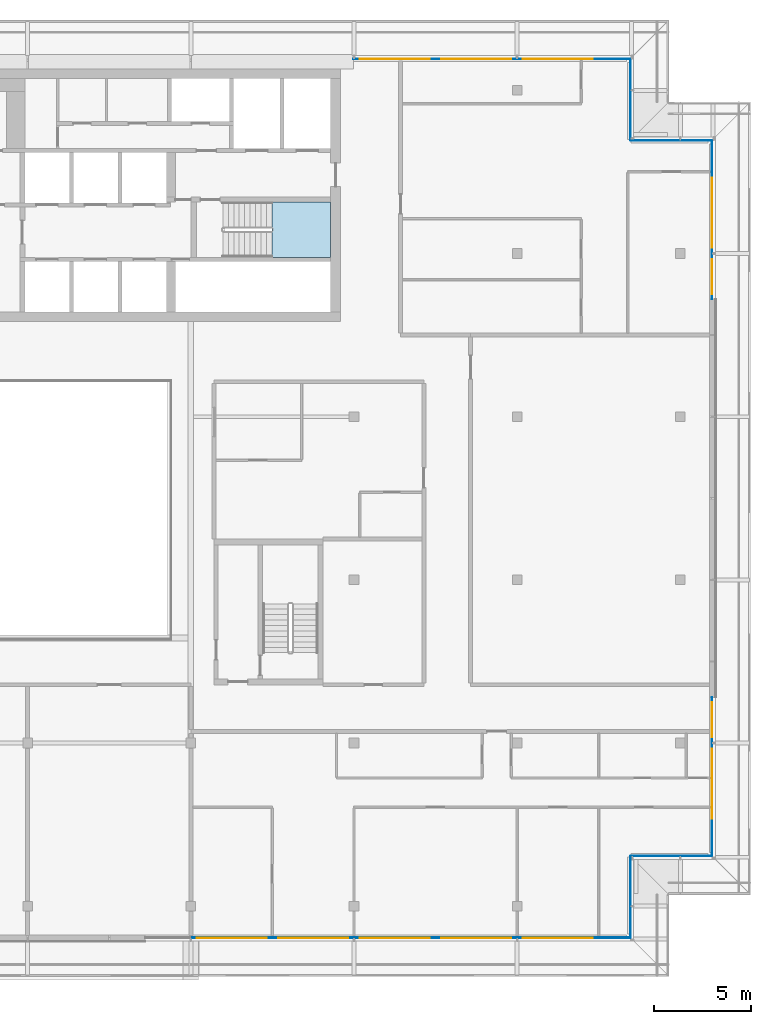
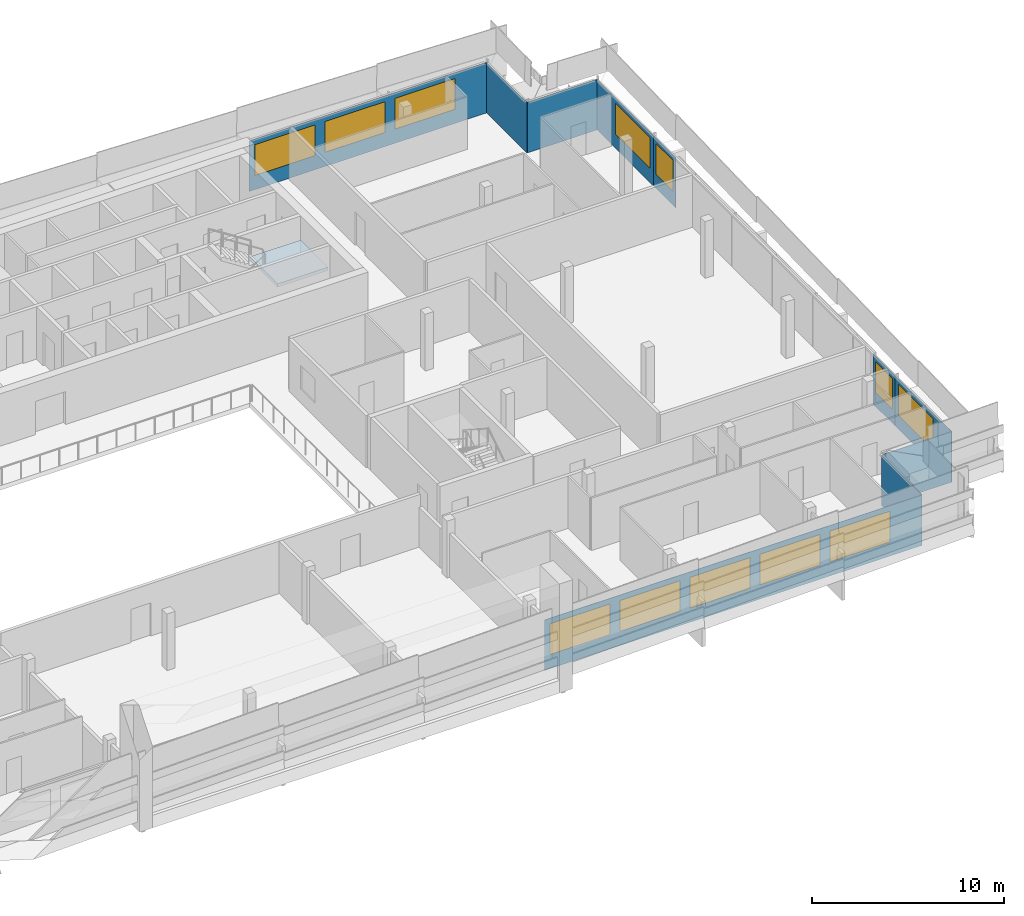
# One storey, part 16 of 33: 12 windows, 10 plates, 1 slab, 12 openings, 8 elements without a shape of their own.
"""IFC4 building model written with IfcOpenShell, lengths in metres."""

from ifc_helpers import new_model, si_unit, direction, frame, frame_2d, origin, place, context, subcontext, project, spatial, polyline, rectangle, outline, extrude, material, layer, layer_set, type_object, element, fill, aggregate, save


model = new_model("IFC4")

# Units and contexts
model_context = context("Model", 3, precision=1e-05, world=origin(), true_north=direction((0.0, 1.0)))
body_context = subcontext(model_context, "Body", "Model", "MODEL_VIEW")
ifc_project = project(units=[si_unit("LENGTHUNIT", "METRE"), si_unit("AREAUNIT", "SQUARE_METRE"), si_unit("VOLUMEUNIT", "CUBIC_METRE"), si_unit("PLANEANGLEUNIT", "RADIAN"), si_unit("MASSUNIT", "GRAM", prefix="KILO")], contexts=[model_context])

# Site, building, storey
site_placement = place(None, origin())
site = spatial("IfcSite", under=ifc_project, at=site_placement, CompositionType="ELEMENT")
building_placement = place(site_placement, origin())
building = spatial("IfcBuilding", under=site, at=building_placement, Name="Saffron Gate Tower", CompositionType="ELEMENT")
storey_placement = place(building_placement, frame((0.0, 0.0, 263.550048828125)))
storey = spatial("IfcBuildingStorey", under=building, at=storey_placement, Name="L63", CompositionType="ELEMENT", Elevation=263.550048828125)

# Curtain wall, plate, openings, windows
ifc_material_1 = material(Name="Aluminium, bronze anodised", Category="aluminium")
curtain_wall_type_1 = type_object("IfcCurtainWallType", Name="CWS1 curtain wall front facade", PredefinedType="NOTDEFINED", material=ifc_material_1)
curtain_wall_1_placement = place(storey_placement, origin())
curtain_wall_1 = element("IfcCurtainWall", 1, at=curtain_wall_1_placement, inside=storey, type_object=curtain_wall_type_1, Name="CWS1 run 1", PredefinedType="NOTDEFINED")
ifc_material_2 = material(Name="Fritted bronze-tinted laminated glass", Category="glass")
ifc_layer_1 = layer(ifc_material_2, 0.028076171875)
ifc_layer_set_1 = layer_set([ifc_layer_1], Name="CWS1 fixed glass")
plate_type_1 = type_object("IfcPlateType", Name="CWS1 fixed glass", PredefinedType="CURTAIN_PANEL", material=ifc_layer_set_1)
plate_1_placement = place(storey_placement, frame((100.169921875, 30.174072265625, 0.0), z_axis=(0.0, 0.0, 1.0), x_axis=(1.0, 0.0, 0.0)))
plate_1 = element("IfcPlate", 2, at=plate_1_placement, type_object=plate_type_1, Name="CWS1 glass panel", PredefinedType="CURTAIN_PANEL", context=body_context, shape_type="SweptSolid", body=[
    extrude(rectangle(XDim=22.64208984375, YDim=0.028076171875, at=frame_2d((11.321044921875, 0.0))), origin(), (0.0, 0.0, 1.0), 3.199951171875),
])
opening_1_placement = place(plate_1_placement, frame((0.330078125, 0.0, 0.89990234375)))
opening_1 = element("IfcOpeningElement", 3, at=opening_1_placement, cuts=plate_1, Name="Opening W1", PredefinedType="OPENING", context=body_context, shape_type="SweptSolid", body=[
    extrude(rectangle(XDim=3.60009765625, YDim=1.949951171875, at=frame_2d((1.800048828125, 0.97509765625))), frame((0.0, 0.02392578125, 0.0), z_axis=(0.0, -1.0, 0.0), x_axis=(1.0, 0.0, 0.0)), (0.0, 0.0, 1.0), 0.048095703125),
])
opening_2_placement = place(plate_1_placement, frame((4.530029296875, 0.0, 0.89990234375)))
opening_2 = element("IfcOpeningElement", 4, at=opening_2_placement, cuts=plate_1, Name="Opening W1", PredefinedType="OPENING", context=body_context, shape_type="SweptSolid", body=[
    extrude(rectangle(XDim=3.60009765625, YDim=1.949951171875, at=frame_2d((1.800048828125, 0.97509765625))), frame((0.0, 0.02392578125, 0.0), z_axis=(0.0, -1.0, 0.0), x_axis=(1.0, 0.0, 0.0)), (0.0, 0.0, 1.0), 0.048095703125),
])
opening_3_placement = place(plate_1_placement, frame((8.72998046875, 0.0, 0.89990234375)))
opening_3 = element("IfcOpeningElement", 5, at=opening_3_placement, cuts=plate_1, Name="Opening W1", PredefinedType="OPENING", context=body_context, shape_type="SweptSolid", body=[
    extrude(rectangle(XDim=3.60009765625, YDim=1.949951171875, at=frame_2d((1.800048828125, 0.97509765625))), frame((0.0, 0.02392578125, 0.0), z_axis=(0.0, -1.0, 0.0), x_axis=(1.0, 0.0, 0.0)), (0.0, 0.0, 1.0), 0.048095703125),
])
opening_4_placement = place(plate_1_placement, frame((12.929931640625, 0.0, 0.89990234375)))
opening_4 = element("IfcOpeningElement", 6, at=opening_4_placement, cuts=plate_1, Name="Opening W1", PredefinedType="OPENING", context=body_context, shape_type="SweptSolid", body=[
    extrude(rectangle(XDim=3.60009765625, YDim=1.949951171875, at=frame_2d((1.800048828125, 0.97509765625))), frame((0.0, 0.02392578125, 0.0), z_axis=(0.0, -1.0, 0.0), x_axis=(1.0, 0.0, 0.0)), (0.0, 0.0, 1.0), 0.048095703125),
])
opening_5_placement = place(plate_1_placement, frame((17.1298828125, 0.0, 0.89990234375)))
opening_5 = element("IfcOpeningElement", 7, at=opening_5_placement, cuts=plate_1, Name="Opening W1", PredefinedType="OPENING", context=body_context, shape_type="SweptSolid", body=[
    extrude(rectangle(XDim=3.60009765625, YDim=1.949951171875, at=frame_2d((1.800048828125, 0.97509765625))), frame((0.0, 0.02392578125, 0.0), z_axis=(0.0, -1.0, 0.0), x_axis=(1.0, 0.0, 0.0)), (0.0, 0.0, 1.0), 0.048095703125),
])
ifc_material_3 = material(Name="Fritted bronze-tinted laminated glass in bronze frame", Category="glass")
ifc_layer_2 = layer(ifc_material_3, 0.06005859375)
ifc_layer_set_2 = layer_set([ifc_layer_2], Name="W1 operable panel 3600x1950")
window_type_1 = type_object("IfcWindowType", Name="W1 operable panel 3600x1950", PartitioningType="DOUBLE_PANEL_HORIZONTAL", PredefinedType="WINDOW", material=ifc_layer_set_2)
window_1_placement = place(opening_1_placement, origin())
window_1 = element("IfcWindow", 8, at=window_1_placement, type_object=window_type_1, Name="W1 operable panel", OverallHeight=1.949951171875, OverallWidth=3.60009765625, PartitioningType="SINGLE_PANEL", PredefinedType="WINDOW", context=body_context, shape_type="SweptSolid", body=[
    extrude(rectangle(XDim=3.60009765625, YDim=1.949951171875, at=frame_2d((1.800048828125, 0.97509765625))), frame((0.0, 0.013671875, 0.0), z_axis=(0.0, -1.0, 0.0), x_axis=(1.0, 0.0, 0.0)), (0.0, 0.0, 1.0), 0.027587890625),
])
fill(opening_1, window_1)
window_2_placement = place(opening_2_placement, origin())
window_2 = element("IfcWindow", 9, at=window_2_placement, type_object=window_type_1, Name="W1 operable panel", OverallHeight=1.949951171875, OverallWidth=3.60009765625, PartitioningType="SINGLE_PANEL", PredefinedType="WINDOW", context=body_context, shape_type="SweptSolid", body=[
    extrude(rectangle(XDim=3.60009765625, YDim=1.949951171875, at=frame_2d((1.800048828125, 0.97509765625))), frame((0.0, 0.013671875, 0.0), z_axis=(0.0, -1.0, 0.0), x_axis=(1.0, 0.0, 0.0)), (0.0, 0.0, 1.0), 0.027587890625),
])
fill(opening_2, window_2)
window_3_placement = place(opening_3_placement, origin())
window_3 = element("IfcWindow", 10, at=window_3_placement, type_object=window_type_1, Name="W1 operable panel", OverallHeight=1.949951171875, OverallWidth=3.60009765625, PartitioningType="SINGLE_PANEL", PredefinedType="WINDOW", context=body_context, shape_type="SweptSolid", body=[
    extrude(rectangle(XDim=3.60009765625, YDim=1.949951171875, at=frame_2d((1.800048828125, 0.97509765625))), frame((0.0, 0.013671875, 0.0), z_axis=(0.0, -1.0, 0.0), x_axis=(1.0, 0.0, 0.0)), (0.0, 0.0, 1.0), 0.027587890625),
])
fill(opening_3, window_3)
window_4_placement = place(opening_4_placement, origin())
window_4 = element("IfcWindow", 11, at=window_4_placement, type_object=window_type_1, Name="W1 operable panel", OverallHeight=1.949951171875, OverallWidth=3.60009765625, PartitioningType="SINGLE_PANEL", PredefinedType="WINDOW", context=body_context, shape_type="SweptSolid", body=[
    extrude(rectangle(XDim=3.60009765625, YDim=1.949951171875, at=frame_2d((1.800048828125, 0.97509765625))), frame((0.0, 0.013671875, 0.0), z_axis=(0.0, -1.0, 0.0), x_axis=(1.0, 0.0, 0.0)), (0.0, 0.0, 1.0), 0.027587890625),
])
fill(opening_4, window_4)
window_5_placement = place(opening_5_placement, origin())
window_5 = element("IfcWindow", 12, at=window_5_placement, type_object=window_type_1, Name="W1 operable panel", OverallHeight=1.949951171875, OverallWidth=3.60009765625, PartitioningType="SINGLE_PANEL", PredefinedType="WINDOW", context=body_context, shape_type="SweptSolid", body=[
    extrude(rectangle(XDim=3.60009765625, YDim=1.949951171875, at=frame_2d((1.800048828125, 0.97509765625))), frame((0.0, 0.013671875, 0.0), z_axis=(0.0, -1.0, 0.0), x_axis=(1.0, 0.0, 0.0)), (0.0, 0.0, 1.0), 0.027587890625),
])
fill(opening_5, window_5)
aggregate(curtain_wall_1, [plate_1, window_1, window_2, window_3, window_4, window_5])

# Curtain wall, plates, openings, windows
curtain_wall_type_2 = type_object("IfcCurtainWallType", Name="CWS2 curtain wall side facades", PredefinedType="NOTDEFINED", material=ifc_material_1)
curtain_wall_2_placement = place(storey_placement, origin())
curtain_wall_2 = element("IfcCurtainWall", 13, at=curtain_wall_2_placement, inside=storey, type_object=curtain_wall_type_2, Name="CWS2 run 4", PredefinedType="NOTDEFINED")
ifc_layer_3 = layer(ifc_material_2, 0.028076171875)
ifc_layer_set_3 = layer_set([ifc_layer_3], Name="CWS2 fixed glass")
plate_type_2 = type_object("IfcPlateType", Name="CWS2 fixed glass", PredefinedType="CURTAIN_PANEL", material=ifc_layer_set_3)
plate_2_placement = place(storey_placement, frame((127.02587890625, 34.387939453125, 0.0), z_axis=(0.0, 0.0, 1.0), x_axis=(0.0, 1.0, 0.0)))
plate_2 = element("IfcPlate", 14, at=plate_2_placement, type_object=plate_type_2, Name="CWS2 glass panel", PredefinedType="CURTAIN_PANEL", context=body_context, shape_type="SweptSolid", body=[
    extrude(rectangle(XDim=5.842041015625, YDim=0.028076171875, at=frame_2d((2.9208984375, 0.0))), origin(), (0.0, 0.0, 1.0), 3.199951171875),
])
opening_6_placement = place(plate_2_placement, frame((1.912109375, 0.0, 0.89990234375)))
opening_6 = element("IfcOpeningElement", 15, at=opening_6_placement, cuts=plate_2, Name="Opening W1", PredefinedType="OPENING", context=body_context, shape_type="SweptSolid", body=[
    extrude(rectangle(XDim=3.60009765625, YDim=1.949951171875, at=frame_2d((1.800048828125, 0.97509765625))), frame((0.0, 0.02392578125, 0.0), z_axis=(0.0, -1.0, 0.0), x_axis=(1.0, 0.0, 0.0)), (0.0, 0.0, 1.0), 0.048095703125),
])
window_6_placement = place(opening_6_placement, origin())
window_6 = element("IfcWindow", 16, at=window_6_placement, type_object=window_type_1, Name="W1 operable panel", OverallHeight=1.949951171875, OverallWidth=3.60009765625, PartitioningType="SINGLE_PANEL", PredefinedType="WINDOW", context=body_context, shape_type="SweptSolid", body=[
    extrude(rectangle(XDim=3.60009765625, YDim=1.949951171875, at=frame_2d((1.800048828125, 0.97509765625))), frame((0.0, 0.013671875, 0.0), z_axis=(0.0, -1.0, 0.0), x_axis=(1.0, 0.0, 0.0)), (0.0, 0.0, 1.0), 0.027587890625),
])
fill(opening_6, window_6)
plate_3_placement = place(storey_placement, frame((127.02587890625, 65.3701171875, 0.0), z_axis=(0.0, 0.0, 1.0), x_axis=(0.0, 1.0, 0.0)))
plate_3 = element("IfcPlate", 17, at=plate_3_placement, type_object=plate_type_2, Name="CWS2 glass panel", PredefinedType="CURTAIN_PANEL", context=body_context, shape_type="SweptSolid", body=[
    extrude(rectangle(XDim=5.841796875, YDim=0.028076171875, at=frame_2d((2.9208984375, 0.0))), origin(), (0.0, 0.0, 1.0), 3.199951171875),
])
opening_7_placement = place(plate_3_placement, frame((0.330078125, 0.0, 0.89990234375)))
opening_7 = element("IfcOpeningElement", 18, at=opening_7_placement, cuts=plate_3, Name="Opening W1", PredefinedType="OPENING", context=body_context, shape_type="SweptSolid", body=[
    extrude(rectangle(XDim=3.60009765625, YDim=1.949951171875, at=frame_2d((1.800048828125, 0.97509765625))), frame((0.0, 0.02392578125, 0.0), z_axis=(0.0, -1.0, 0.0), x_axis=(1.0, 0.0, 0.0)), (0.0, 0.0, 1.0), 0.048095703125),
])
window_7_placement = place(opening_7_placement, origin())
window_7 = element("IfcWindow", 19, at=window_7_placement, type_object=window_type_1, Name="W1 operable panel", OverallHeight=1.949951171875, OverallWidth=3.60009765625, PartitioningType="SINGLE_PANEL", PredefinedType="WINDOW", context=body_context, shape_type="SweptSolid", body=[
    extrude(rectangle(XDim=3.60009765625, YDim=1.949951171875, at=frame_2d((1.800048828125, 0.97509765625))), frame((0.0, 0.013671875, 0.0), z_axis=(0.0, -1.0, 0.0), x_axis=(1.0, 0.0, 0.0)), (0.0, 0.0, 1.0), 0.027587890625),
])
fill(opening_7, window_7)
plate_4_placement = place(storey_placement, frame((127.02587890625, 40.22998046875, 0.0), z_axis=(0.0, 0.0, 1.0), x_axis=(0.0, 1.0, 0.0)))
plate_4 = element("IfcPlate", 20, at=plate_4_placement, type_object=plate_type_2, Name="CWS2 glass panel", PredefinedType="CURTAIN_PANEL", context=body_context, shape_type="SweptSolid", body=[
    extrude(rectangle(XDim=2.32080078125, YDim=0.028076171875, at=frame_2d((1.160400390625, 0.0))), origin(), (0.0, 0.0, 1.0), 3.199951171875),
])
opening_8_placement = place(plate_4_placement, frame((0.260498046875, 0.0, 0.89990234375)))
opening_8 = element("IfcOpeningElement", 21, at=opening_8_placement, cuts=plate_4, Name="Opening W1N18", PredefinedType="OPENING", context=body_context, shape_type="SweptSolid", body=[
    extrude(rectangle(XDim=1.800048828125, YDim=1.949951171875, at=frame_2d((0.89990234375, 0.97509765625))), frame((0.0, 0.02392578125, 0.0), z_axis=(0.0, -1.0, 0.0), x_axis=(1.0, 0.0, 0.0)), (0.0, 0.0, 1.0), 0.048095703125),
])
ifc_layer_4 = layer(ifc_material_3, 0.06005859375)
ifc_layer_set_4 = layer_set([ifc_layer_4], Name="W1N18 operable panel 1800x1950")
window_type_2 = type_object("IfcWindowType", Name="W1N18 operable panel 1800x1950", PartitioningType="DOUBLE_PANEL_HORIZONTAL", PredefinedType="WINDOW", material=ifc_layer_set_4)
window_8_placement = place(opening_8_placement, origin())
window_8 = element("IfcWindow", 22, at=window_8_placement, type_object=window_type_2, Name="W1N18 operable panel", OverallHeight=1.949951171875, OverallWidth=1.800048828125, PartitioningType="SINGLE_PANEL", PredefinedType="WINDOW", context=body_context, shape_type="SweptSolid", body=[
    extrude(rectangle(XDim=1.800048828125, YDim=1.949951171875, at=frame_2d((0.89990234375, 0.97509765625))), frame((0.0, 0.013671875, 0.0), z_axis=(0.0, -1.0, 0.0), x_axis=(1.0, 0.0, 0.0)), (0.0, 0.0, 1.0), 0.027587890625),
])
fill(opening_8, window_8)
plate_5_placement = place(storey_placement, frame((127.02587890625, 63.04931640625, 0.0), z_axis=(0.0, 0.0, 1.0), x_axis=(0.0, 1.0, 0.0)))
plate_5 = element("IfcPlate", 23, at=plate_5_placement, type_object=plate_type_2, Name="CWS2 glass panel", PredefinedType="CURTAIN_PANEL", context=body_context, shape_type="SweptSolid", body=[
    extrude(rectangle(XDim=2.32080078125, YDim=0.028076171875, at=frame_2d((1.160400390625, 0.0))), origin(), (0.0, 0.0, 1.0), 3.199951171875),
])
opening_9_placement = place(plate_5_placement, frame((0.260498046875, 0.0, 0.89990234375)))
opening_9 = element("IfcOpeningElement", 24, at=opening_9_placement, cuts=plate_5, Name="Opening W1N18", PredefinedType="OPENING", context=body_context, shape_type="SweptSolid", body=[
    extrude(rectangle(XDim=1.800048828125, YDim=1.949951171875, at=frame_2d((0.89990234375, 0.97509765625))), frame((0.0, 0.02392578125, 0.0), z_axis=(0.0, -1.0, 0.0), x_axis=(1.0, 0.0, 0.0)), (0.0, 0.0, 1.0), 0.048095703125),
])
window_9_placement = place(opening_9_placement, origin())
window_9 = element("IfcWindow", 25, at=window_9_placement, type_object=window_type_2, Name="W1N18 operable panel", OverallHeight=1.949951171875, OverallWidth=1.800048828125, PartitioningType="SINGLE_PANEL", PredefinedType="WINDOW", context=body_context, shape_type="SweptSolid", body=[
    extrude(rectangle(XDim=1.800048828125, YDim=1.949951171875, at=frame_2d((0.89990234375, 0.97509765625))), frame((0.0, 0.013671875, 0.0), z_axis=(0.0, -1.0, 0.0), x_axis=(1.0, 0.0, 0.0)), (0.0, 0.0, 1.0), 0.027587890625),
])
fill(opening_9, window_9)
aggregate(curtain_wall_2, [plate_2, plate_3, plate_4, plate_5, window_6, window_7, window_8, window_9])

# Curtain wall, plate, openings, windows
curtain_wall_type_3 = type_object("IfcCurtainWallType", Name="CWS3 curtain wall rear facade", PredefinedType="NOTDEFINED", material=ifc_material_1)
curtain_wall_3_placement = place(storey_placement, origin())
curtain_wall_3 = element("IfcCurtainWall", 26, at=curtain_wall_3_placement, inside=storey, type_object=curtain_wall_type_3, Name="CWS3 run 7", PredefinedType="NOTDEFINED")
ifc_material_4 = material(Name="Fritted grey-tinted laminated glass", Category="glass")
ifc_layer_5 = layer(ifc_material_4, 0.028076171875)
ifc_layer_set_5 = layer_set([ifc_layer_5], Name="CWS3 fixed glass")
plate_type_3 = type_object("IfcPlateType", Name="CWS3 fixed glass", PredefinedType="CURTAIN_PANEL", material=ifc_layer_set_5)
plate_6_placement = place(storey_placement, frame((122.81201171875, 75.426025390625, 0.0), z_axis=(0.0, 0.0, 1.0), x_axis=(-1.0, 0.0, 0.0)))
plate_6 = element("IfcPlate", 27, at=plate_6_placement, type_object=plate_type_3, Name="CWS3 glass panel", PredefinedType="CURTAIN_PANEL", context=body_context, shape_type="SweptSolid", body=[
    extrude(rectangle(XDim=14.2470703125, YDim=0.028076171875, at=frame_2d((7.12353515625, 0.0))), origin(), (0.0, 0.0, 1.0), 3.199951171875),
])
opening_10_placement = place(plate_6_placement, frame((1.912109375, 0.0, 0.89990234375)))
opening_10 = element("IfcOpeningElement", 28, at=opening_10_placement, cuts=plate_6, Name="Opening W1", PredefinedType="OPENING", context=body_context, shape_type="SweptSolid", body=[
    extrude(rectangle(XDim=3.60009765625, YDim=1.949951171875, at=frame_2d((1.800048828125, 0.97509765625))), frame((0.0, 0.02392578125, 0.0), z_axis=(0.0, -1.0, 0.0), x_axis=(1.0, 0.0, 0.0)), (0.0, 0.0, 1.0), 0.048095703125),
])
opening_11_placement = place(plate_6_placement, frame((6.112060546875, 0.0, 0.89990234375)))
opening_11 = element("IfcOpeningElement", 29, at=opening_11_placement, cuts=plate_6, Name="Opening W1", PredefinedType="OPENING", context=body_context, shape_type="SweptSolid", body=[
    extrude(rectangle(XDim=3.60009765625, YDim=1.949951171875, at=frame_2d((1.800048828125, 0.97509765625))), frame((0.0, 0.02392578125, 0.0), z_axis=(0.0, -1.0, 0.0), x_axis=(1.0, 0.0, 0.0)), (0.0, 0.0, 1.0), 0.048095703125),
])
opening_12_placement = place(plate_6_placement, frame((10.31201171875, 0.0, 0.89990234375)))
opening_12 = element("IfcOpeningElement", 30, at=opening_12_placement, cuts=plate_6, Name="Opening W1", PredefinedType="OPENING", context=body_context, shape_type="SweptSolid", body=[
    extrude(rectangle(XDim=3.60009765625, YDim=1.949951171875, at=frame_2d((1.800048828125, 0.97509765625))), frame((0.0, 0.02392578125, 0.0), z_axis=(0.0, -1.0, 0.0), x_axis=(1.0, 0.0, 0.0)), (0.0, 0.0, 1.0), 0.048095703125),
])
window_10_placement = place(opening_10_placement, origin())
window_10 = element("IfcWindow", 31, at=window_10_placement, type_object=window_type_1, Name="W1 operable panel", OverallHeight=1.949951171875, OverallWidth=3.60009765625, PartitioningType="SINGLE_PANEL", PredefinedType="WINDOW", context=body_context, shape_type="SweptSolid", body=[
    extrude(rectangle(XDim=3.60009765625, YDim=1.949951171875, at=frame_2d((1.800048828125, 0.97509765625))), frame((0.0, 0.013671875, 0.0), z_axis=(0.0, -1.0, 0.0), x_axis=(1.0, 0.0, 0.0)), (0.0, 0.0, 1.0), 0.027587890625),
])
fill(opening_10, window_10)
window_11_placement = place(opening_11_placement, origin())
window_11 = element("IfcWindow", 32, at=window_11_placement, type_object=window_type_1, Name="W1 operable panel", OverallHeight=1.949951171875, OverallWidth=3.60009765625, PartitioningType="SINGLE_PANEL", PredefinedType="WINDOW", context=body_context, shape_type="SweptSolid", body=[
    extrude(rectangle(XDim=3.60009765625, YDim=1.949951171875, at=frame_2d((1.800048828125, 0.97509765625))), frame((0.0, 0.013671875, 0.0), z_axis=(0.0, -1.0, 0.0), x_axis=(1.0, 0.0, 0.0)), (0.0, 0.0, 1.0), 0.027587890625),
])
fill(opening_11, window_11)
window_12_placement = place(opening_12_placement, origin())
window_12 = element("IfcWindow", 33, at=window_12_placement, type_object=window_type_1, Name="W1 operable panel", OverallHeight=1.949951171875, OverallWidth=3.60009765625, PartitioningType="SINGLE_PANEL", PredefinedType="WINDOW", context=body_context, shape_type="SweptSolid", body=[
    extrude(rectangle(XDim=3.60009765625, YDim=1.949951171875, at=frame_2d((1.800048828125, 0.97509765625))), frame((0.0, 0.013671875, 0.0), z_axis=(0.0, -1.0, 0.0), x_axis=(1.0, 0.0, 0.0)), (0.0, 0.0, 1.0), 0.027587890625),
])
fill(opening_12, window_12)
aggregate(curtain_wall_3, [plate_6, window_10, window_11, window_12])

# Curtain wall, plate
curtain_wall_type_4 = type_object("IfcCurtainWallType", Name="CWS4 curtain wall corner returns", PredefinedType="NOTDEFINED", material=ifc_material_1)
curtain_wall_4_placement = place(storey_placement, origin())
curtain_wall_4 = element("IfcCurtainWall", 34, at=curtain_wall_4_placement, inside=storey, type_object=curtain_wall_type_4, Name="CWS4 run 2", PredefinedType="NOTDEFINED")
ifc_layer_6 = layer(ifc_material_2, 0.028076171875)
ifc_layer_set_6 = layer_set([ifc_layer_6], Name="CWS4 fixed glass")
plate_type_4 = type_object("IfcPlateType", Name="CWS4 fixed glass", PredefinedType="CURTAIN_PANEL", material=ifc_layer_set_6)
plate_7_placement = place(storey_placement, frame((122.825927734375, 30.18798828125, 0.0), z_axis=(0.0, 0.0, 1.0), x_axis=(0.0, 1.0, 0.0)))
plate_7 = element("IfcPlate", 35, at=plate_7_placement, type_object=plate_type_4, Name="CWS4 glass panel", PredefinedType="CURTAIN_PANEL", context=body_context, shape_type="SweptSolid", body=[
    extrude(rectangle(XDim=4.172119140625, YDim=0.028076171875, at=frame_2d((2.0859375, 0.0))), origin(), (0.0, 0.0, 1.0), 3.199951171875),
])
aggregate(curtain_wall_4, [plate_7])

curtain_wall_5_placement = place(storey_placement, origin())
curtain_wall_5 = element("IfcCurtainWall", 36, at=curtain_wall_5_placement, inside=storey, type_object=curtain_wall_type_4, Name="CWS4 run 3", PredefinedType="NOTDEFINED")
plate_8_placement = place(storey_placement, frame((122.840087890625, 34.3740234375, 0.0), z_axis=(0.0, 0.0, 1.0), x_axis=(1.0, 0.0, 0.0)))
plate_8 = element("IfcPlate", 37, at=plate_8_placement, type_object=plate_type_4, Name="CWS4 glass panel", PredefinedType="CURTAIN_PANEL", context=body_context, shape_type="SweptSolid", body=[
    extrude(rectangle(XDim=4.171875, YDim=0.028076171875, at=frame_2d((2.0859375, 0.0))), origin(), (0.0, 0.0, 1.0), 3.199951171875),
])
aggregate(curtain_wall_5, [plate_8])

curtain_wall_6_placement = place(storey_placement, origin())
curtain_wall_6 = element("IfcCurtainWall", 38, at=curtain_wall_6_placement, inside=storey, type_object=curtain_wall_type_4, Name="CWS4 run 5", PredefinedType="NOTDEFINED")
plate_9_placement = place(storey_placement, frame((127.011962890625, 71.22607421875, 0.0), z_axis=(0.0, 0.0, 1.0), x_axis=(-1.0, 0.0, 0.0)))
plate_9 = element("IfcPlate", 39, at=plate_9_placement, type_object=plate_type_4, Name="CWS4 glass panel", PredefinedType="CURTAIN_PANEL", context=body_context, shape_type="SweptSolid", body=[
    extrude(rectangle(XDim=4.171875, YDim=0.028076171875, at=frame_2d((2.0859375, 0.0))), origin(), (0.0, 0.0, 1.0), 3.199951171875),
])
aggregate(curtain_wall_6, [plate_9])

curtain_wall_7_placement = place(storey_placement, origin())
curtain_wall_7 = element("IfcCurtainWall", 40, at=curtain_wall_7_placement, inside=storey, type_object=curtain_wall_type_4, Name="CWS4 run 6", PredefinedType="NOTDEFINED")
plate_10_placement = place(storey_placement, frame((122.825927734375, 71.239990234375, 0.0), z_axis=(0.0, 0.0, 1.0), x_axis=(0.0, 1.0, 0.0)))
plate_10 = element("IfcPlate", 41, at=plate_10_placement, type_object=plate_type_4, Name="CWS4 glass panel", PredefinedType="CURTAIN_PANEL", context=body_context, shape_type="SweptSolid", body=[
    extrude(rectangle(XDim=4.172119140625, YDim=0.028076171875, at=frame_2d((2.0859375, 0.0))), origin(), (0.0, 0.0, 1.0), 3.199951171875),
])
aggregate(curtain_wall_7, [plate_10])

# Stair, slab
ifc_material_5 = material(Name="Concrete C40", Category="concrete")
stair_type = type_object("IfcStairType", Name="ST7 Stair 1350 wide, 20 risers of 180", PredefinedType="HALF_TURN_STAIR", material=ifc_material_5)
stair_placement = place(storey_placement, origin())
stair = element("IfcStair", 42, at=stair_placement, inside=storey, type_object=stair_type, Name="L63 Exit stair B", PredefinedType="HALF_TURN_STAIR")
ifc_layer_7 = layer(ifc_material_5, 0.199951171875)
ifc_layer_set_7 = layer_set([ifc_layer_7], Name="SL1 Stair landing 200")
slab_type = type_object("IfcSlabType", Name="SL1 Stair landing 200", PredefinedType="LANDING", material=ifc_layer_set_7)
slab_placement = place(storey_placement, frame((0.0, 0.0, 1.599853515625)))
slab = element("IfcSlab", 43, at=slab_placement, type_object=slab_type, Name="ST-B landing 1", PredefinedType="LANDING", context=body_context, shape_type="SweptSolid", body=[
    extrude(outline(polyline([(104.3701171875, 65.199951171875), (107.39990234375, 65.199951171875), (107.39990234375, 68.050048828125), (104.3701171875, 68.050048828125), (104.3701171875, 65.199951171875)])), origin(), (0.0, 0.0, 1.0), 0.2001953125),
])
aggregate(stair, [slab])

save(model, "model.ifc")
